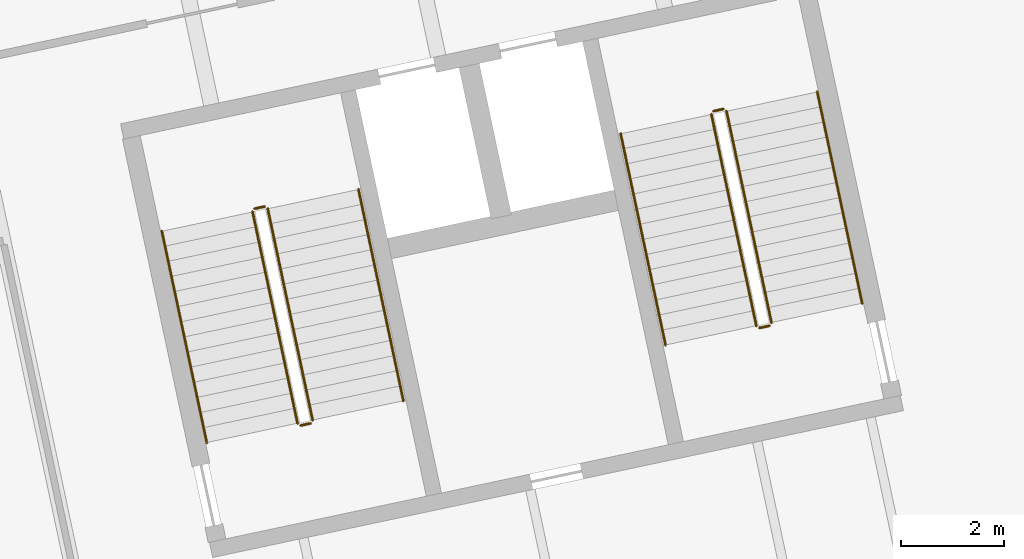
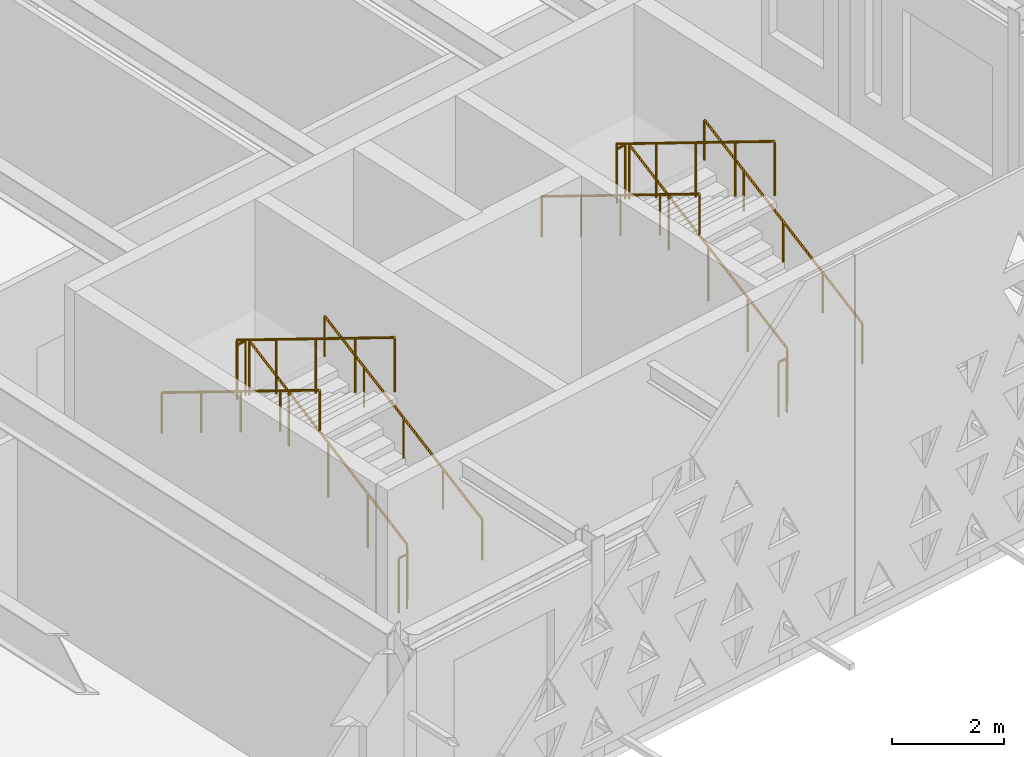
# One storey, part 192 of 196: 12 railings.
"""IFC4 building model written with IfcOpenShell, lengths in metres."""

from ifc_helpers import new_model, si_unit, direction, frame, origin, origin_2d, place, context, subcontext, project, spatial, circle, extrude, material, type_object, element, save


model = new_model("IFC4")

# Units and contexts
model_context = context("Model", 3, precision=1e-05, world=origin(), true_north=direction((0.0, 1.0)))
body_context = subcontext(model_context, "Body", "Model", "MODEL_VIEW")
ifc_project = project(units=[si_unit("LENGTHUNIT", "METRE"), si_unit("AREAUNIT", "SQUARE_METRE"), si_unit("VOLUMEUNIT", "CUBIC_METRE"), si_unit("PLANEANGLEUNIT", "RADIAN"), si_unit("MASSUNIT", "GRAM", prefix="KILO")], contexts=[model_context])

# Site, building, storey
site_placement = place(None, origin())
site = spatial("IfcSite", under=ifc_project, at=site_placement, CompositionType="ELEMENT")
building_placement = place(site_placement, origin())
building = spatial("IfcBuilding", under=site, at=building_placement, Name="Okhra Congress Centre", CompositionType="ELEMENT")
storey_placement = place(building_placement, frame((0.0, 0.0, 12.0)))
storey = spatial("IfcBuildingStorey", under=building, at=storey_placement, Name="L02", CompositionType="ELEMENT", Elevation=12.0)

# Railings
ifc_material_1 = material(Name="Painted steel tube handrail on wall brackets", Category="steel")
railing_type_1 = type_object("IfcRailingType", Name="Steel handrail 900", PredefinedType="HANDRAIL", material=ifc_material_1)
railing_1_placement = place(storey_placement, frame((203.1015625, 62.711181640625, 0.159912109375)))
element("IfcRailing", 1, at=railing_1_placement, inside=storey, type_object=railing_type_1, Name="L02 BS5A stair handrail 1", PredefinedType="HANDRAIL", context=body_context, shape_type="SweptSolid", body=[
    extrude(circle(Radius=0.02392578125, at=origin_2d()), frame((0.0, 0.0, 0.8759765625), z_axis=(-0.183466421502, 0.863066668889, 0.4705911147), x_axis=(-0.978143927149, -0.207928972925, 0.0)), (0.0, 0.0, 1.0), 4.760009765625),
    extrude(circle(Radius=0.02099609375, at=origin_2d()), origin(), (0.0, 0.0, 1.0), 0.851806640625),
    extrude(circle(Radius=0.02099609375, at=origin_2d()), frame((-0.21826171875, 1.027099609375, 0.56005859375)), (0.0, 0.0, 1.0), 0.851806640625),
    extrude(circle(Radius=0.02099609375, at=origin_2d()), frame((-0.4365234375, 2.05419921875, 1.1201171875)), (0.0, 0.0, 1.0), 0.851806640625),
    extrude(circle(Radius=0.02099609375, at=origin_2d()), frame((-0.655029296875, 3.0810546875, 1.679931640625)), (0.0, 0.0, 1.0), 0.851806640625),
    extrude(circle(Radius=0.02099609375, at=origin_2d()), frame((-0.873291015625, 4.108154296875, 2.239990234375)), (0.0, 0.0, 1.0), 0.851806640625),
])
railing_2_placement = place(storey_placement, frame((198.41357421875, 66.008544921875, 2.56005859375)))
element("IfcRailing", 2, at=railing_2_placement, inside=storey, type_object=railing_type_1, Name="L02 BS5A stair handrail 2", PredefinedType="HANDRAIL", context=body_context, shape_type="SweptSolid", body=[
    extrude(circle(Radius=0.02392578125, at=origin_2d()), frame((0.0, 0.0, 0.8759765625), z_axis=(0.183458300256, -0.863079753065, 0.470570283716), x_axis=(0.978146440129, 0.207917150959, 0.0)), (0.0, 0.0, 1.0), 4.76025390625),
    extrude(circle(Radius=0.02099609375, at=origin_2d()), origin(), (0.0, 0.0, 1.0), 0.851806640625),
    extrude(circle(Radius=0.02099609375, at=origin_2d()), frame((0.21826171875, -1.027099609375, 0.56005859375)), (0.0, 0.0, 1.0), 0.851806640625),
    extrude(circle(Radius=0.02099609375, at=origin_2d()), frame((0.4365234375, -2.05419921875, 1.1201171875)), (0.0, 0.0, 1.0), 0.851806640625),
    extrude(circle(Radius=0.02099609375, at=origin_2d()), frame((0.655029296875, -3.081298828125, 1.679931640625)), (0.0, 0.0, 1.0), 0.851806640625),
    extrude(circle(Radius=0.02099609375, at=origin_2d()), frame((0.873291015625, -4.1083984375, 2.239990234375)), (0.0, 0.0, 1.0), 0.851806640625),
])
railing_3_placement = place(storey_placement, frame((212.002685546875, 64.60302734375, 0.159912109375)))
element("IfcRailing", 3, at=railing_3_placement, inside=storey, type_object=railing_type_1, Name="L02 BS5B stair handrail 1", PredefinedType="HANDRAIL", context=body_context, shape_type="SweptSolid", body=[
    extrude(circle(Radius=0.02392578125, at=origin_2d()), frame((0.0, 0.0, 0.8759765625), z_axis=(-0.183466421502, 0.863066668889, 0.4705911147), x_axis=(-0.978143927149, -0.207928972925, 0.0)), (0.0, 0.0, 1.0), 4.760009765625),
    extrude(circle(Radius=0.02099609375, at=origin_2d()), origin(), (0.0, 0.0, 1.0), 0.851806640625),
    extrude(circle(Radius=0.02099609375, at=origin_2d()), frame((-0.21826171875, 1.027099609375, 0.56005859375)), (0.0, 0.0, 1.0), 0.851806640625),
    extrude(circle(Radius=0.02099609375, at=origin_2d()), frame((-0.4365234375, 2.05419921875, 1.1201171875)), (0.0, 0.0, 1.0), 0.851806640625),
    extrude(circle(Radius=0.02099609375, at=origin_2d()), frame((-0.655029296875, 3.0810546875, 1.679931640625)), (0.0, 0.0, 1.0), 0.851806640625),
    extrude(circle(Radius=0.02099609375, at=origin_2d()), frame((-0.873291015625, 4.108154296875, 2.239990234375)), (0.0, 0.0, 1.0), 0.851806640625),
])
railing_4_placement = place(storey_placement, frame((207.314697265625, 67.900390625, 2.56005859375)))
element("IfcRailing", 4, at=railing_4_placement, inside=storey, type_object=railing_type_1, Name="L02 BS5B stair handrail 2", PredefinedType="HANDRAIL", context=body_context, shape_type="SweptSolid", body=[
    extrude(circle(Radius=0.02392578125, at=origin_2d()), frame((0.0, 0.0, 0.8759765625), z_axis=(0.183466421502, -0.863066668889, 0.4705911147), x_axis=(0.978143927149, 0.207928972925, 0.0)), (0.0, 0.0, 1.0), 4.760009765625),
    extrude(circle(Radius=0.02099609375, at=origin_2d()), origin(), (0.0, 0.0, 1.0), 0.851806640625),
    extrude(circle(Radius=0.02099609375, at=origin_2d()), frame((0.21826171875, -1.027099609375, 0.56005859375)), (0.0, 0.0, 1.0), 0.851806640625),
    extrude(circle(Radius=0.02099609375, at=origin_2d()), frame((0.4365234375, -2.05419921875, 1.1201171875)), (0.0, 0.0, 1.0), 0.851806640625),
    extrude(circle(Radius=0.02099609375, at=origin_2d()), frame((0.655029296875, -3.0810546875, 1.679931640625)), (0.0, 0.0, 1.0), 0.851806640625),
    extrude(circle(Radius=0.02099609375, at=origin_2d()), frame((0.873291015625, -4.108154296875, 2.239990234375)), (0.0, 0.0, 1.0), 0.851806640625),
])
ifc_material_2 = material(Name="Painted steel tube guard with vertical steel balusters", Category="steel")
railing_type_2 = type_object("IfcRailingType", Name="Steel stair guard 1200", PredefinedType="GUARDRAIL", material=ifc_material_2)
railing_5_placement = place(storey_placement, frame((201.3408203125, 62.3369140625, 0.159912109375)))
element("IfcRailing", 5, at=railing_5_placement, inside=storey, type_object=railing_type_2, Name="L02 BS5A stair guard 1", PredefinedType="GUARDRAIL", context=body_context, shape_type="SweptSolid", body=[
    extrude(circle(Radius=0.02392578125, at=origin_2d()), frame((0.0, 0.0, 1.17578125), z_axis=(-0.183416856655, 0.863074789412, 0.470595542453), x_axis=(-0.978155748334, -0.207873355681, 0.0)), (0.0, 0.0, 1.0), 4.760009765625),
    extrude(circle(Radius=0.02099609375, at=origin_2d()), origin(), (0.0, 0.0, 1.0), 1.15185546875),
    extrude(circle(Radius=0.02099609375, at=origin_2d()), frame((-0.21826171875, 1.027099609375, 0.56005859375)), (0.0, 0.0, 1.0), 1.15185546875),
    extrude(circle(Radius=0.02099609375, at=origin_2d()), frame((-0.4365234375, 2.05419921875, 1.1201171875)), (0.0, 0.0, 1.0), 1.15185546875),
    extrude(circle(Radius=0.02099609375, at=origin_2d()), frame((-0.65478515625, 3.0810546875, 1.679931640625)), (0.0, 0.0, 1.0), 1.15185546875),
    extrude(circle(Radius=0.02099609375, at=origin_2d()), frame((-0.873046875, 4.108154296875, 2.239990234375)), (0.0, 0.0, 1.0), 1.15185546875),
])
railing_6_placement = place(storey_placement, frame((200.408447265625, 66.483642578125, 2.39990234375)))
element("IfcRailing", 6, at=railing_6_placement, inside=storey, type_object=railing_type_2, Name="L02 BS5A stair guard 2", PredefinedType="GUARDRAIL", context=body_context, shape_type="SweptSolid", body=[
    extrude(circle(Radius=0.02392578125, at=origin_2d()), frame((0.0, 0.0, 1.17578125), z_axis=(-0.977962931203, -0.208778603291, 0.0), x_axis=(0.208778603291, -0.977962931203, 0.0)), (0.0, 0.0, 1.0), 0.199951171875),
    extrude(circle(Radius=0.02099609375, at=origin_2d()), origin(), (0.0, 0.0, 1.0), 1.15185546875),
    extrude(circle(Radius=0.02099609375, at=origin_2d()), frame((-0.195556640625, -0.041748046875, 0.0)), (0.0, 0.0, 1.0), 1.15185546875),
])
railing_7_placement = place(storey_placement, frame((200.17431640625, 66.382568359375, 2.56005859375)))
element("IfcRailing", 7, at=railing_7_placement, inside=storey, type_object=railing_type_2, Name="L02 BS5A stair guard 3", PredefinedType="GUARDRAIL", context=body_context, shape_type="SweptSolid", body=[
    extrude(circle(Radius=0.02392578125, at=origin_2d()), frame((0.0, 0.0, 1.17578125), z_axis=(0.183466421502, -0.863066668889, 0.4705911147), x_axis=(0.978143927149, 0.207928972925, 0.0)), (0.0, 0.0, 1.0), 4.760009765625),
    extrude(circle(Radius=0.02099609375, at=origin_2d()), origin(), (0.0, 0.0, 1.0), 1.15185546875),
    extrude(circle(Radius=0.02099609375, at=origin_2d()), frame((0.21826171875, -1.027099609375, 0.56005859375)), (0.0, 0.0, 1.0), 1.15185546875),
    extrude(circle(Radius=0.02099609375, at=origin_2d()), frame((0.4365234375, -2.05419921875, 1.1201171875)), (0.0, 0.0, 1.0), 1.15185546875),
    extrude(circle(Radius=0.02099609375, at=origin_2d()), frame((0.655029296875, -3.0810546875, 1.679931640625)), (0.0, 0.0, 1.0), 1.15185546875),
    extrude(circle(Radius=0.02099609375, at=origin_2d()), frame((0.873291015625, -4.108154296875, 2.239990234375)), (0.0, 0.0, 1.0), 1.15185546875),
])
railing_8_placement = place(storey_placement, frame((201.302490234375, 62.277587890625, 0.0)))
element("IfcRailing", 8, at=railing_8_placement, inside=storey, type_object=railing_type_2, Name="L02 BS5A stair guard 4", PredefinedType="GUARDRAIL", context=body_context, shape_type="SweptSolid", body=[
    extrude(circle(Radius=0.02392578125, at=origin_2d()), frame((0.0, 0.0, 1.17578125), z_axis=(-0.978016054442, -0.208529607618, 0.0), x_axis=(0.208529607618, -0.978016054442, 0.0)), (0.0, 0.0, 1.0), 0.2001953125),
    extrude(circle(Radius=0.02099609375, at=origin_2d()), origin(), (0.0, 0.0, 1.0), 1.15185546875),
    extrude(circle(Radius=0.02099609375, at=origin_2d()), frame((-0.19580078125, -0.041748046875, 0.0)), (0.0, 0.0, 1.0), 1.15185546875),
])
railing_9_placement = place(storey_placement, frame((210.2421875, 64.228759765625, 0.159912109375)))
element("IfcRailing", 9, at=railing_9_placement, inside=storey, type_object=railing_type_2, Name="L02 BS5B stair guard 1", PredefinedType="GUARDRAIL", context=body_context, shape_type="SweptSolid", body=[
    extrude(circle(Radius=0.02392578125, at=origin_2d()), frame((0.0, 0.0, 1.17578125), z_axis=(-0.183458300256, 0.863079753065, 0.470570283716), x_axis=(-0.978146440129, -0.207917150959, 0.0)), (0.0, 0.0, 1.0), 4.76025390625),
    extrude(circle(Radius=0.02099609375, at=origin_2d()), origin(), (0.0, 0.0, 1.0), 1.15185546875),
    extrude(circle(Radius=0.02099609375, at=origin_2d()), frame((-0.21826171875, 1.027099609375, 0.56005859375)), (0.0, 0.0, 1.0), 1.15185546875),
    extrude(circle(Radius=0.02099609375, at=origin_2d()), frame((-0.4365234375, 2.05419921875, 1.1201171875)), (0.0, 0.0, 1.0), 1.15185546875),
    extrude(circle(Radius=0.02099609375, at=origin_2d()), frame((-0.655029296875, 3.081298828125, 1.679931640625)), (0.0, 0.0, 1.0), 1.15185546875),
    extrude(circle(Radius=0.02099609375, at=origin_2d()), frame((-0.873291015625, 4.1083984375, 2.239990234375)), (0.0, 0.0, 1.0), 1.15185546875),
])
railing_10_placement = place(storey_placement, frame((209.3095703125, 68.37548828125, 2.39990234375)))
element("IfcRailing", 10, at=railing_10_placement, inside=storey, type_object=railing_type_2, Name="L02 BS5B stair guard 2", PredefinedType="GUARDRAIL", context=body_context, shape_type="SweptSolid", body=[
    extrude(circle(Radius=0.02392578125, at=origin_2d()), frame((0.0, 0.0, 1.17578125), z_axis=(-0.978211583308, -0.207610448392, 0.0), x_axis=(0.207610448392, -0.978211583308, 0.0)), (0.0, 0.0, 1.0), 0.199951171875),
    extrude(circle(Radius=0.02099609375, at=origin_2d()), origin(), (0.0, 0.0, 1.0), 1.15185546875),
    extrude(circle(Radius=0.02099609375, at=origin_2d()), frame((-0.195556640625, -0.04150390625, 0.0)), (0.0, 0.0, 1.0), 1.15185546875),
])
railing_11_placement = place(storey_placement, frame((209.075439453125, 68.274658203125, 2.56005859375)))
element("IfcRailing", 11, at=railing_11_placement, inside=storey, type_object=railing_type_2, Name="L02 BS5B stair guard 3", PredefinedType="GUARDRAIL", context=body_context, shape_type="SweptSolid", body=[
    extrude(circle(Radius=0.02392578125, at=origin_2d()), frame((0.0, 0.0, 1.17578125), z_axis=(0.183466421502, -0.863066668889, 0.4705911147), x_axis=(0.978143927149, 0.207928972925, 0.0)), (0.0, 0.0, 1.0), 4.760009765625),
    extrude(circle(Radius=0.02099609375, at=origin_2d()), origin(), (0.0, 0.0, 1.0), 1.15185546875),
    extrude(circle(Radius=0.02099609375, at=origin_2d()), frame((0.21826171875, -1.027099609375, 0.56005859375)), (0.0, 0.0, 1.0), 1.15185546875),
    extrude(circle(Radius=0.02099609375, at=origin_2d()), frame((0.4365234375, -2.05419921875, 1.1201171875)), (0.0, 0.0, 1.0), 1.15185546875),
    extrude(circle(Radius=0.02099609375, at=origin_2d()), frame((0.655029296875, -3.0810546875, 1.679931640625)), (0.0, 0.0, 1.0), 1.15185546875),
    extrude(circle(Radius=0.02099609375, at=origin_2d()), frame((0.873291015625, -4.108154296875, 2.239990234375)), (0.0, 0.0, 1.0), 1.15185546875),
])
railing_12_placement = place(storey_placement, frame((210.20361328125, 64.16943359375, 0.0)))
element("IfcRailing", 12, at=railing_12_placement, inside=storey, type_object=railing_type_2, Name="L02 BS5B stair guard 4", PredefinedType="GUARDRAIL", context=body_context, shape_type="SweptSolid", body=[
    extrude(circle(Radius=0.02392578125, at=origin_2d()), frame((0.0, 0.0, 1.17578125), z_axis=(-0.978211583308, -0.207610448392, 0.0), x_axis=(0.207610448392, -0.978211583308, 0.0)), (0.0, 0.0, 1.0), 0.199951171875),
    extrude(circle(Radius=0.02099609375, at=origin_2d()), origin(), (0.0, 0.0, 1.0), 1.15185546875),
    extrude(circle(Radius=0.02099609375, at=origin_2d()), frame((-0.195556640625, -0.04150390625, 0.0)), (0.0, 0.0, 1.0), 1.15185546875),
])

save(model, "model.ifc")
